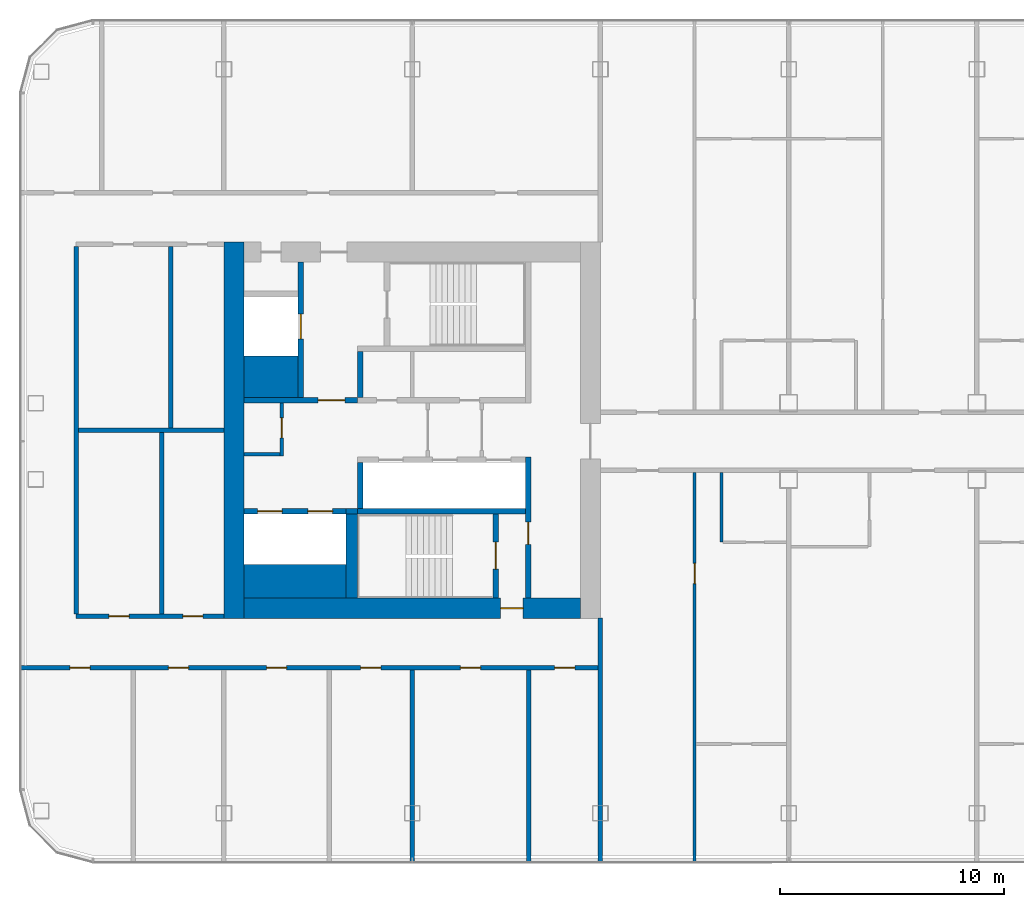
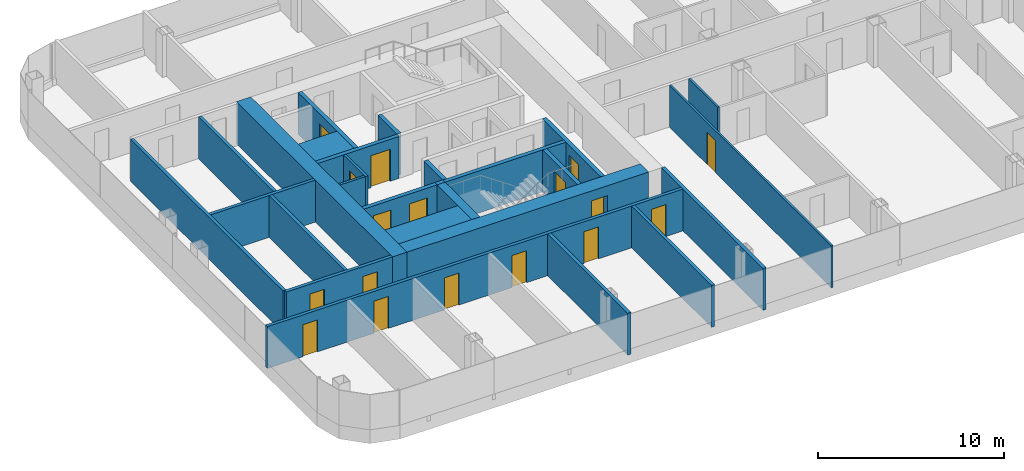
# One storey, part 12 of 26: 27 walls, 17 doors, 17 openings.
"""IFC4 building model written with IfcOpenShell, lengths in metres."""

from ifc_helpers import new_model, si_unit, direction, frame, frame_2d, origin, place, context, subcontext, project, spatial, rectangle, extrude, material, layer, layer_set, type_object, element, fill, save


model = new_model("IFC4")

# Units and contexts
model_context = context("Model", 3, precision=1e-05, world=origin(), true_north=direction((0.0, 1.0)))
body_context = subcontext(model_context, "Body", "Model", "MODEL_VIEW")
ifc_project = project(units=[si_unit("LENGTHUNIT", "METRE"), si_unit("AREAUNIT", "SQUARE_METRE"), si_unit("VOLUMEUNIT", "CUBIC_METRE"), si_unit("PLANEANGLEUNIT", "RADIAN"), si_unit("MASSUNIT", "GRAM", prefix="KILO")], contexts=[model_context])

# Site, building, storey
site_placement = place(None, origin())
site = spatial("IfcSite", under=ifc_project, at=site_placement, CompositionType="ELEMENT")
building_placement = place(site_placement, origin())
building = spatial("IfcBuilding", under=site, at=building_placement, Name="Hakoniwa Tower and Hamabe Station Hall", CompositionType="ELEMENT")
storey_placement = place(building_placement, frame((0.0, 0.0, 143.800048828125)))
storey = spatial("IfcBuildingStorey", under=building, at=storey_placement, Name="L40", CompositionType="ELEMENT", Elevation=143.800048828125)

# Wall
ifc_material_1 = material(Name="Gypsum board partition", Category="gypsum")
ifc_layer_1 = layer(ifc_material_1, 0.125)
ifc_layer_set_1 = layer_set([ifc_layer_1], Name="Bathroom Partition 125")
wall_type_1 = type_object("IfcWallType", Name="Bathroom Partition 125", PredefinedType="PARTITIONING", material=ifc_layer_set_1)
wall_1_placement = place(storey_placement, frame((-11.39990234375, -5.0, 0.0), z_axis=(0.0, 0.0, 1.0), x_axis=(0.0, 1.0, 0.0)))
element("IfcWall", 1, at=wall_1_placement, inside=storey, type_object=wall_type_1, Name="GW-L40-044", PredefinedType="PARTITIONING", context=body_context, shape_type="SweptSolid", body=[
    extrude(rectangle(XDim=3.10009765625, YDim=0.125, at=frame_2d((1.550048828125, 0.0))), origin(), (0.0, 0.0, 1.0), 2.75),
])

# Wall, opening, door
ifc_material_2 = material(Name="Gypsum board partition")
ifc_layer_2 = layer(ifc_material_2, 0.14990234375)
ifc_layer_set_2 = layer_set([ifc_layer_2], Name="CORE PARTITION 150 EI 60")
wall_type_2 = type_object("IfcWallType", Name="CORE PARTITION 150 EI 60", PredefinedType="PARTITIONING", material=ifc_layer_set_2)
wall_2_placement = place(storey_placement, frame((-31.02490234375, -1.14990234375, 0.0), z_axis=(0.0, 0.0, 1.0), x_axis=(0.0, 1.0, 0.0)))
wall_2 = element("IfcWall", 2, at=wall_2_placement, inside=storey, type_object=wall_type_2, Name="Core partition PW0 west", PredefinedType="PARTITIONING", context=body_context, shape_type="SweptSolid", body=[
    extrude(rectangle(XDim=2.349853515625, YDim=0.14990234375, at=frame_2d((1.1748046875, 0.0))), origin(), (0.0, 0.0, 1.0), 2.75),
])
opening_1_placement = place(wall_2_placement, frame((0.800048828125, 0.0, 0.0)))
opening_1 = element("IfcOpeningElement", 3, at=opening_1_placement, cuts=wall_2, Name="Opening CD-W-RM1-9", PredefinedType="OPENING", context=body_context, shape_type="SweptSolid", body=[
    extrude(rectangle(XDim=0.89990234375, YDim=2.10009765625, at=frame_2d((0.449951171875, 1.050048828125))), frame((0.0, 0.0849609375, 0.0), z_axis=(0.0, -1.0, 0.0), x_axis=(1.0, 0.0, 0.0)), (0.0, 0.0, 1.0), 0.169921875),
])
ifc_material_3 = material(Name="Steel fire door", Category="steel")
door_type_1 = type_object("IfcDoorType", Name="CORE DOOR 900 FD30", OperationType="NOTDEFINED", PredefinedType="DOOR", material=ifc_material_3)
door_1_placement = place(opening_1_placement, origin())
door_1 = element("IfcDoor", 4, at=door_1_placement, inside=storey, type_object=door_type_1, Name="Store room door", OperationType="SINGLE_SWING_LEFT", OverallHeight=2.10009765625, OverallWidth=0.89990234375, PredefinedType="DOOR", context=body_context, shape_type="SweptSolid", body=[
    extrude(rectangle(XDim=0.89990234375, YDim=2.10009765625, at=frame_2d((0.449951171875, 1.050048828125))), frame((0.0, 0.02490234375, 0.0), z_axis=(0.0, -1.0, 0.0), x_axis=(1.0, 0.0, 0.0)), (0.0, 0.0, 1.0), 0.050048828125),
])
fill(opening_1, door_1)

# Walls
wall_3_placement = place(storey_placement, frame((-32.699951171875, -1.074951171875, 0.0), z_axis=(0.0, 0.0, 1.0), x_axis=(1.0, 0.0, 0.0)))
element("IfcWall", 5, at=wall_3_placement, inside=storey, type_object=wall_type_2, Name="Core partition PS west", PredefinedType="PARTITIONING", context=body_context, shape_type="SweptSolid", body=[
    extrude(rectangle(XDim=1.599853515625, YDim=0.14990234375, at=frame_2d((0.7998046875, 0.0))), origin(), (0.0, 0.0, 1.0), 2.75),
])
ifc_material_4 = material(Name="Concrete C66", Category="concrete")
ifc_layer_3 = layer(ifc_material_4, 0.89990234375)
ifc_layer_set_3 = layer_set([ifc_layer_3], Name="CORE WALL 900 C66")
wall_type_3 = type_object("IfcWallType", Name="CORE WALL 900 C66", PredefinedType="SHEAR", material=ifc_layer_set_3)
wall_4_placement = place(storey_placement, frame((-33.14990234375, -8.39990234375, 0.0), z_axis=(0.0, 0.0, 1.0), x_axis=(0.0, 1.0, 0.0)))
element("IfcWall", 6, at=wall_4_placement, inside=storey, type_object=wall_type_3, Name="Core wall OUTER west", PredefinedType="SHEAR", context=body_context, shape_type="SweptSolid", body=[
    extrude(rectangle(XDim=16.7998046875, YDim=0.89990234375, at=frame_2d((8.39990234375, 0.0))), origin(), (0.0, 0.0, 1.0), 2.75),
])

# Wall, opening, door
wall_5_placement = place(storey_placement, frame((-32.699951171875, -7.949951171875, 0.0), z_axis=(0.0, 0.0, 1.0), x_axis=(1.0, 0.0, 0.0)))
wall_5 = element("IfcWall", 7, at=wall_5_placement, inside=storey, type_object=wall_type_3, Name="Core wall SOUTH west", PredefinedType="SHEAR", context=body_context, shape_type="SweptSolid", body=[
    extrude(rectangle(XDim=15.0, YDim=0.89990234375, at=frame_2d((7.5, 0.0))), origin(), (0.0, 0.0, 1.0), 2.75),
])
opening_2_placement = place(wall_5_placement, frame((11.449951171875, 0.0, 0.0)))
opening_2 = element("IfcOpeningElement", 8, at=opening_2_placement, cuts=wall_5, Name="Opening CD-W-FS3-10", PredefinedType="OPENING", context=body_context, shape_type="SweptSolid", body=[
    extrude(rectangle(XDim=1.0, YDim=2.10009765625, at=frame_2d((0.5, 1.050048828125))), frame((0.0, 0.4599609375, 0.0), z_axis=(0.0, -1.0, 0.0), x_axis=(1.0, 0.0, 0.0)), (0.0, 0.0, 1.0), 0.919921875),
])
ifc_material_5 = material(Name="Steel fire door", Category="steel")
door_type_2 = type_object("IfcDoorType", Name="CORE DOOR 1000 FD60", OperationType="NOTDEFINED", PredefinedType="DOOR", material=ifc_material_5)
door_2_placement = place(opening_2_placement, origin())
door_2 = element("IfcDoor", 9, at=door_2_placement, inside=storey, type_object=door_type_2, Name="Stair vestibule door", OperationType="SINGLE_SWING_RIGHT", OverallHeight=2.10009765625, OverallWidth=1.0, PredefinedType="DOOR", context=body_context, shape_type="SweptSolid", body=[
    extrude(rectangle(XDim=1.0, YDim=2.10009765625, at=frame_2d((0.5, 1.050048828125))), frame((0.0, 0.02490234375, 0.0), z_axis=(0.0, -1.0, 0.0), x_axis=(1.0, 0.0, 0.0)), (0.0, 0.0, 1.0), 0.050048828125),
])
fill(opening_2, door_2)

# Walls
ifc_material_6 = material(Name="Concrete C66", Category="concrete")
ifc_layer_4 = layer(ifc_material_6, 1.5)
ifc_layer_set_4 = layer_set([ifc_layer_4], Name="CORE WEB WALL 1500 C66")
wall_type_4 = type_object("IfcWallType", Name="CORE WEB WALL 1500 C66", PredefinedType="SHEAR", material=ifc_layer_set_4)
wall_6_placement = place(storey_placement, frame((-32.699951171875, -6.75, 0.0), z_axis=(0.0, 0.0, 1.0), x_axis=(1.0, 0.0, 0.0)))
element("IfcWall", 10, at=wall_6_placement, inside=storey, type_object=wall_type_4, Name="Core wall SER west", PredefinedType="SHEAR", context=body_context, shape_type="SweptSolid", body=[
    extrude(rectangle(XDim=4.550048828125, YDim=1.5, at=frame_2d((2.27490234375, 0.0))), origin(), (0.0, 0.0, 1.0), 2.75),
])
ifc_material_7 = material(Name="Concrete C66", Category="concrete")
ifc_layer_5 = layer(ifc_material_7, 1.85009765625)
ifc_layer_set_5 = layer_set([ifc_layer_5], Name="CORE WEB WALL 1850 C66")
wall_type_5 = type_object("IfcWallType", Name="CORE WEB WALL 1850 C66", PredefinedType="SHEAR", material=ifc_layer_set_5)
wall_7_placement = place(storey_placement, frame((-32.699951171875, 2.375, 0.0), z_axis=(0.0, 0.0, 1.0), x_axis=(1.0, 0.0, 0.0)))
element("IfcWall", 11, at=wall_7_placement, inside=storey, type_object=wall_type_5, Name="Core wall CA west", PredefinedType="SHEAR", context=body_context, shape_type="SweptSolid", body=[
    extrude(rectangle(XDim=2.39990234375, YDim=1.85009765625, at=frame_2d((1.199951171875, 0.0))), origin(), (0.0, 0.0, 1.0), 2.75),
])

# Wall, opening, door
ifc_material_8 = material(Name="Concrete C66", Category="concrete")
ifc_layer_6 = layer(ifc_material_8, 0.25)
ifc_layer_set_6 = layer_set([ifc_layer_6], Name="CORE WEB WALL 250 C66")
wall_type_6 = type_object("IfcWallType", Name="CORE WEB WALL 250 C66", PredefinedType="SHEAR", material=ifc_layer_set_6)
wall_8_placement = place(storey_placement, frame((-20.02490234375, -7.5, 0.0), z_axis=(0.0, 0.0, 1.0), x_axis=(0.0, 1.0, 0.0)))
wall_8 = element("IfcWall", 12, at=wall_8_placement, inside=storey, type_object=wall_type_6, Name="Core wall W1S west", PredefinedType="SHEAR", context=body_context, shape_type="SweptSolid", body=[
    extrude(rectangle(XDim=6.300048828125, YDim=0.25, at=frame_2d((3.14990234375, 0.0))), origin(), (0.0, 0.0, 1.0), 2.75),
])
opening_3_placement = place(wall_8_placement, frame((2.39990234375, 0.0, 0.0)))
opening_3 = element("IfcOpeningElement", 13, at=opening_3_placement, cuts=wall_8, Name="Opening CD-W-VS-10", PredefinedType="OPENING", context=body_context, shape_type="SweptSolid", body=[
    extrude(rectangle(XDim=1.0, YDim=2.10009765625, at=frame_2d((0.5, 1.050048828125))), frame((0.0, 0.135009765625, 0.0), z_axis=(0.0, -1.0, 0.0), x_axis=(1.0, 0.0, 0.0)), (0.0, 0.0, 1.0), 0.27001953125),
])
door_3_placement = place(opening_3_placement, origin())
door_3 = element("IfcDoor", 14, at=door_3_placement, inside=storey, type_object=door_type_2, Name="Stair vestibule door", OperationType="SINGLE_SWING_LEFT", OverallHeight=2.10009765625, OverallWidth=1.0, PredefinedType="DOOR", context=body_context, shape_type="SweptSolid", body=[
    extrude(rectangle(XDim=1.0, YDim=2.10009765625, at=frame_2d((0.5, 1.050048828125))), frame((0.0, 0.02490234375, 0.0), z_axis=(0.0, -1.0, 0.0), x_axis=(1.0, 0.0, 0.0)), (0.0, 0.0, 1.0), 0.050048828125),
])
fill(opening_3, door_3)

# Wall
wall_9_placement = place(storey_placement, frame((-27.52490234375, 1.449951171875, 0.0), z_axis=(0.0, 0.0, 1.0), x_axis=(0.0, 1.0, 0.0)))
element("IfcWall", 15, at=wall_9_placement, inside=storey, type_object=wall_type_6, Name="Core wall NE west", PredefinedType="SHEAR", context=body_context, shape_type="SweptSolid", body=[
    extrude(rectangle(XDim=2.050048828125, YDim=0.25, at=frame_2d((1.02490234375, 0.0))), origin(), (0.0, 0.0, 1.0), 2.75),
])

# Wall, opening, door
wall_10_placement = place(storey_placement, frame((-32.699951171875, 1.324951171875, 0.0), z_axis=(0.0, 0.0, 1.0), x_axis=(1.0, 0.0, 0.0)))
wall_10 = element("IfcWall", 16, at=wall_10_placement, inside=storey, type_object=wall_type_6, Name="Core wall ELN west", PredefinedType="SHEAR", context=body_context, shape_type="SweptSolid", body=[
    extrude(rectangle(XDim=5.050048828125, YDim=0.25, at=frame_2d((2.52490234375, 0.0))), origin(), (0.0, 0.0, 1.0), 2.75),
])
opening_4_placement = place(wall_10_placement, frame((3.300048828125, 0.0, 0.0)))
opening_4 = element("IfcOpeningElement", 17, at=opening_4_placement, cuts=wall_10, Name="Opening CD-W-FL-12", PredefinedType="OPENING", context=body_context, shape_type="SweptSolid", body=[
    extrude(rectangle(XDim=1.199951171875, YDim=2.10009765625, at=frame_2d((0.60009765625, 1.050048828125))), frame((0.0, 0.135009765625, 0.0), z_axis=(0.0, -1.0, 0.0), x_axis=(1.0, 0.0, 0.0)), (0.0, 0.0, 1.0), 0.27001953125),
])
ifc_material_9 = material(Name="Steel fire door", Category="steel")
door_type_3 = type_object("IfcDoorType", Name="CORE DOOR 1200 FD60", OperationType="DOUBLE_DOOR_SINGLE_SWING", PredefinedType="DOOR", material=ifc_material_9)
door_4_placement = place(opening_4_placement, origin())
door_4 = element("IfcDoor", 18, at=door_4_placement, inside=storey, type_object=door_type_3, Name="Stair vestibule door to the fire-fighting lobby", OperationType="DOUBLE_DOOR_SINGLE_SWING", OverallHeight=2.10009765625, OverallWidth=1.199951171875, PredefinedType="DOOR", context=body_context, shape_type="SweptSolid", body=[
    extrude(rectangle(XDim=1.199951171875, YDim=2.10009765625, at=frame_2d((0.60009765625, 1.050048828125))), frame((0.0, 0.02490234375, 0.0), z_axis=(0.0, -1.0, 0.0), x_axis=(1.0, 0.0, 0.0)), (0.0, 0.0, 1.0), 0.050048828125),
])
fill(opening_4, door_4)

wall_11_placement = place(storey_placement, frame((-30.175048828125, 1.449951171875, 0.0), z_axis=(0.0, 0.0, 1.0), x_axis=(0.0, 1.0, 0.0)))
wall_11 = element("IfcWall", 19, at=wall_11_placement, inside=storey, type_object=wall_type_6, Name="Core wall FFF west", PredefinedType="SHEAR", context=body_context, shape_type="SweptSolid", body=[
    extrude(rectangle(XDim=6.050048828125, YDim=0.25, at=frame_2d((3.02490234375, 0.0))), origin(), (0.0, 0.0, 1.0), 2.75),
])
opening_5_placement = place(wall_11_placement, frame((2.625, 0.0, 0.0)))
opening_5 = element("IfcOpeningElement", 20, at=opening_5_placement, cuts=wall_11, Name="Opening LD-FF1", PredefinedType="OPENING", context=body_context, shape_type="SweptSolid", body=[
    extrude(rectangle(XDim=1.10009765625, YDim=2.10009765625, at=frame_2d((0.550048828125, 1.050048828125))), frame((0.0, 0.135009765625, 0.0), z_axis=(0.0, -1.0, 0.0), x_axis=(1.0, 0.0, 0.0)), (0.0, 0.0, 1.0), 0.27001953125),
])
ifc_material_10 = material(Name="Stainless steel SUS304", Category="steel")
door_type_4 = type_object("IfcDoorType", Name="LIFT LANDING DOOR 1100 FD60", OperationType="DOUBLE_DOOR_SLIDING", PredefinedType="DOOR", material=ifc_material_10)
door_5_placement = place(opening_5_placement, origin())
door_5 = element("IfcDoor", 21, at=door_5_placement, inside=storey, type_object=door_type_4, Name="Lift landing door FF1 L40", OperationType="DOUBLE_DOOR_SLIDING", OverallHeight=2.10009765625, OverallWidth=1.10009765625, PredefinedType="DOOR", context=body_context, shape_type="SweptSolid", body=[
    extrude(rectangle(XDim=1.10009765625, YDim=2.10009765625, at=frame_2d((0.550048828125, 1.050048828125))), frame((0.0, 0.02490234375, 0.0), z_axis=(0.0, -1.0, 0.0), x_axis=(1.0, 0.0, 0.0)), (0.0, 0.0, 1.0), 0.050048828125),
])
fill(opening_5, door_5)

# Walls
wall_12_placement = place(storey_placement, frame((-27.52490234375, -3.5, 0.0), z_axis=(0.0, 0.0, 1.0), x_axis=(0.0, 1.0, 0.0)))
element("IfcWall", 22, at=wall_12_placement, inside=storey, type_object=wall_type_6, Name="Core wall SE west", PredefinedType="SHEAR", context=body_context, shape_type="SweptSolid", body=[
    extrude(rectangle(XDim=2.050048828125, YDim=0.25, at=frame_2d((1.02490234375, 0.0))), origin(), (0.0, 0.0, 1.0), 2.75),
])
wall_13_placement = place(storey_placement, frame((-27.64990234375, -3.625, 0.0), z_axis=(0.0, 0.0, 1.0), x_axis=(1.0, 0.0, 0.0)))
element("IfcWall", 23, at=wall_13_placement, inside=storey, type_object=wall_type_6, Name="Core wall SR west", PredefinedType="SHEAR", context=body_context, shape_type="SweptSolid", body=[
    extrude(rectangle(XDim=7.5, YDim=0.25, at=frame_2d((3.75, 0.0))), origin(), (0.0, 0.0, 1.0), 2.75),
])

# Wall, opening, door
wall_14_placement = place(storey_placement, frame((-21.47509765625, -7.5, 0.0), z_axis=(0.0, 0.0, 1.0), x_axis=(0.0, 1.0, 0.0)))
wall_14 = element("IfcWall", 24, at=wall_14_placement, inside=storey, type_object=wall_type_6, Name="Core wall VE west", PredefinedType="SHEAR", context=body_context, shape_type="SweptSolid", body=[
    extrude(rectangle(XDim=3.75, YDim=0.25, at=frame_2d((1.875, 0.0))), origin(), (0.0, 0.0, 1.0), 2.75),
])
opening_6_placement = place(wall_14_placement, frame((1.300048828125, 0.0, 0.0)))
opening_6 = element("IfcOpeningElement", 25, at=opening_6_placement, cuts=wall_14, Name="Opening CD-W-SS-12", PredefinedType="OPENING", context=body_context, shape_type="SweptSolid", body=[
    extrude(rectangle(XDim=1.199951171875, YDim=2.10009765625, at=frame_2d((0.60009765625, 1.050048828125))), frame((0.0, 0.135009765625, 0.0), z_axis=(0.0, -1.0, 0.0), x_axis=(1.0, 0.0, 0.0)), (0.0, 0.0, 1.0), 0.27001953125),
])
door_6_placement = place(opening_6_placement, origin())
door_6 = element("IfcDoor", 26, at=door_6_placement, inside=storey, type_object=door_type_3, Name="Escape stair door", OperationType="DOUBLE_DOOR_SINGLE_SWING", OverallHeight=2.10009765625, OverallWidth=1.199951171875, PredefinedType="DOOR", context=body_context, shape_type="SweptSolid", body=[
    extrude(rectangle(XDim=1.199951171875, YDim=2.10009765625, at=frame_2d((0.60009765625, 1.050048828125))), frame((0.0, 0.02490234375, 0.0), z_axis=(0.0, -1.0, 0.0), x_axis=(1.0, 0.0, 0.0)), (0.0, 0.0, 1.0), 0.050048828125),
])
fill(opening_6, door_6)

# Wall, openings, doors
wall_15_placement = place(storey_placement, frame((-32.699951171875, -3.625, 0.0), z_axis=(0.0, 0.0, 1.0), x_axis=(1.0, 0.0, 0.0)))
wall_15 = element("IfcWall", 27, at=wall_15_placement, inside=storey, type_object=wall_type_6, Name="Core wall SEF west", PredefinedType="SHEAR", context=body_context, shape_type="SweptSolid", body=[
    extrude(rectangle(XDim=4.550048828125, YDim=0.25, at=frame_2d((2.27490234375, 0.0))), origin(), (0.0, 0.0, 1.0), 2.75),
])
opening_7_placement = place(wall_15_placement, frame((2.85009765625, 0.0, 0.0)))
opening_7 = element("IfcOpeningElement", 28, at=opening_7_placement, cuts=wall_15, Name="Opening LD-SV1", PredefinedType="OPENING", context=body_context, shape_type="SweptSolid", body=[
    extrude(rectangle(XDim=1.10009765625, YDim=2.10009765625, at=frame_2d((0.550048828125, 1.050048828125))), frame((0.0, 0.135009765625, 0.0), z_axis=(0.0, -1.0, 0.0), x_axis=(1.0, 0.0, 0.0)), (0.0, 0.0, 1.0), 0.27001953125),
])
opening_8_placement = place(wall_15_placement, frame((0.60009765625, 0.0, 0.0)))
opening_8 = element("IfcOpeningElement", 29, at=opening_8_placement, cuts=wall_15, Name="Opening LD-SV2", PredefinedType="OPENING", context=body_context, shape_type="SweptSolid", body=[
    extrude(rectangle(XDim=1.10009765625, YDim=2.10009765625, at=frame_2d((0.550048828125, 1.050048828125))), frame((0.0, 0.135009765625, 0.0), z_axis=(0.0, -1.0, 0.0), x_axis=(1.0, 0.0, 0.0)), (0.0, 0.0, 1.0), 0.27001953125),
])
door_7_placement = place(opening_7_placement, origin())
door_7 = element("IfcDoor", 30, at=door_7_placement, inside=storey, type_object=door_type_4, Name="Lift landing door SV1 L40", OperationType="DOUBLE_DOOR_SLIDING", OverallHeight=2.10009765625, OverallWidth=1.10009765625, PredefinedType="DOOR", context=body_context, shape_type="SweptSolid", body=[
    extrude(rectangle(XDim=1.10009765625, YDim=2.10009765625, at=frame_2d((0.550048828125, 1.050048828125))), frame((0.0, 0.02490234375, 0.0), z_axis=(0.0, -1.0, 0.0), x_axis=(1.0, 0.0, 0.0)), (0.0, 0.0, 1.0), 0.050048828125),
])
fill(opening_7, door_7)
door_8_placement = place(opening_8_placement, origin())
door_8 = element("IfcDoor", 31, at=door_8_placement, inside=storey, type_object=door_type_4, Name="Lift landing door SV2 L40", OperationType="DOUBLE_DOOR_SLIDING", OverallHeight=2.10009765625, OverallWidth=1.10009765625, PredefinedType="DOOR", context=body_context, shape_type="SweptSolid", body=[
    extrude(rectangle(XDim=1.10009765625, YDim=2.10009765625, at=frame_2d((0.550048828125, 1.050048828125))), frame((0.0, 0.02490234375, 0.0), z_axis=(0.0, -1.0, 0.0), x_axis=(1.0, 0.0, 0.0)), (0.0, 0.0, 1.0), 0.050048828125),
])
fill(opening_8, door_8)

# Walls
wall_16_placement = place(storey_placement, frame((-28.14990234375, -3.625, 0.0), z_axis=(0.0, 0.0, 1.0), x_axis=(1.0, 0.0, 0.0)))
element("IfcWall", 32, at=wall_16_placement, inside=storey, type_object=wall_type_6, Name="Core wall SRK west", PredefinedType="SHEAR", context=body_context, shape_type="SweptSolid", body=[
    extrude(rectangle(XDim=0.5, YDim=0.25, at=frame_2d((0.25, 0.0))), origin(), (0.0, 0.0, 1.0), 2.75),
])
ifc_material_11 = material(Name="Concrete C66", Category="concrete")
ifc_layer_7 = layer(ifc_material_11, 0.5)
ifc_layer_set_7 = layer_set([ifc_layer_7], Name="CORE WEB WALL 500 C66")
wall_type_7 = type_object("IfcWallType", Name="CORE WEB WALL 500 C66", PredefinedType="SHEAR", material=ifc_layer_set_7)
wall_17_placement = place(storey_placement, frame((-27.89990234375, -7.5, 0.0), z_axis=(0.0, 0.0, 1.0), x_axis=(0.0, 1.0, 0.0)))
element("IfcWall", 33, at=wall_17_placement, inside=storey, type_object=wall_type_7, Name="Core wall SSE west", PredefinedType="SHEAR", context=body_context, shape_type="SweptSolid", body=[
    extrude(rectangle(XDim=3.75, YDim=0.5, at=frame_2d((1.875, 0.0))), origin(), (0.0, 0.0, 1.0), 2.75),
])

# Wall, openings, doors
ifc_material_12 = material(Name="Fire-rated gypsum board partition", Category="gypsum")
ifc_layer_8 = layer(ifc_material_12, 0.199951171875)
ifc_layer_set_8 = layer_set([ifc_layer_8], Name="Corridor Wall 200")
wall_type_8 = type_object("IfcWallType", Name="Corridor Wall 200", PredefinedType="PARTITIONING", material=ifc_layer_set_8)
wall_18_placement = place(storey_placement, frame((-42.699951171875, -10.60009765625, 0.0), z_axis=(0.0, 0.0, 1.0), x_axis=(1.0, 0.0, 0.0)))
wall_18 = element("IfcWall", 34, at=wall_18_placement, inside=storey, type_object=wall_type_8, Name="GW-L40-004", PredefinedType="PARTITIONING", context=body_context, shape_type="SweptSolid", body=[
    extrude(rectangle(XDim=25.89990234375, YDim=0.199951171875, at=frame_2d((12.949951171875, 0.0))), origin(), (0.0, 0.0, 1.0), 2.75),
])
opening_9_placement = place(wall_18_placement, frame((2.22509765625, 0.0, 0.0)))
opening_9 = element("IfcOpeningElement", 35, at=opening_9_placement, cuts=wall_18, Name="Opening GD-G3E0-04", PredefinedType="OPENING", context=body_context, shape_type="SweptSolid", body=[
    extrude(rectangle(XDim=0.89990234375, YDim=2.10009765625, at=frame_2d((0.449951171875, 1.050048828125))), frame((0.0, 0.10986328125, 0.0), z_axis=(0.0, -1.0, 0.0), x_axis=(1.0, 0.0, 0.0)), (0.0, 0.0, 1.0), 0.219970703125),
])
opening_10_placement = place(wall_18_placement, frame((6.625, 0.0, 0.0)))
opening_10 = element("IfcOpeningElement", 36, at=opening_10_placement, cuts=wall_18, Name="Opening GD-G3E0-05", PredefinedType="OPENING", context=body_context, shape_type="SweptSolid", body=[
    extrude(rectangle(XDim=0.89990234375, YDim=2.10009765625, at=frame_2d((0.449951171875, 1.050048828125))), frame((0.0, 0.10986328125, 0.0), z_axis=(0.0, -1.0, 0.0), x_axis=(1.0, 0.0, 0.0)), (0.0, 0.0, 1.0), 0.219970703125),
])
opening_11_placement = place(wall_18_placement, frame((11.0, 0.0, 0.0)))
opening_11 = element("IfcOpeningElement", 37, at=opening_11_placement, cuts=wall_18, Name="Opening GD-G3E0-06", PredefinedType="OPENING", context=body_context, shape_type="SweptSolid", body=[
    extrude(rectangle(XDim=0.89990234375, YDim=2.10009765625, at=frame_2d((0.449951171875, 1.050048828125))), frame((0.0, 0.10986328125, 0.0), z_axis=(0.0, -1.0, 0.0), x_axis=(1.0, 0.0, 0.0)), (0.0, 0.0, 1.0), 0.219970703125),
])
opening_12_placement = place(wall_18_placement, frame((15.199951171875, 0.0, 0.0)))
opening_12 = element("IfcOpeningElement", 38, at=opening_12_placement, cuts=wall_18, Name="Opening GD-G3E0-07", PredefinedType="OPENING", context=body_context, shape_type="SweptSolid", body=[
    extrude(rectangle(XDim=0.89990234375, YDim=2.10009765625, at=frame_2d((0.449951171875, 1.050048828125))), frame((0.0, 0.10986328125, 0.0), z_axis=(0.0, -1.0, 0.0), x_axis=(1.0, 0.0, 0.0)), (0.0, 0.0, 1.0), 0.219970703125),
])
opening_13_placement = place(wall_18_placement, frame((19.655029296875, 0.0, 0.0)))
opening_13 = element("IfcOpeningElement", 39, at=opening_13_placement, cuts=wall_18, Name="Opening GD-G3E0-08", PredefinedType="OPENING", context=body_context, shape_type="SweptSolid", body=[
    extrude(rectangle(XDim=0.89990234375, YDim=2.10009765625, at=frame_2d((0.449951171875, 1.050048828125))), frame((0.0, 0.10986328125, 0.0), z_axis=(0.0, -1.0, 0.0), x_axis=(1.0, 0.0, 0.0)), (0.0, 0.0, 1.0), 0.219970703125),
])
opening_14_placement = place(wall_18_placement, frame((23.85498046875, 0.0, 0.0)))
opening_14 = element("IfcOpeningElement", 40, at=opening_14_placement, cuts=wall_18, Name="Opening GD-G3E0-09", PredefinedType="OPENING", context=body_context, shape_type="SweptSolid", body=[
    extrude(rectangle(XDim=0.89990234375, YDim=2.10009765625, at=frame_2d((0.449951171875, 1.050048828125))), frame((0.0, 0.10986328125, 0.0), z_axis=(0.0, -1.0, 0.0), x_axis=(1.0, 0.0, 0.0)), (0.0, 0.0, 1.0), 0.219970703125),
])
ifc_material_13 = material(Name="Timber door leaf", Category="wood")
door_type_5 = type_object("IfcDoorType", Name="Service Door 900", OperationType="SINGLE_SWING_LEFT", PredefinedType="DOOR", material=ifc_material_13)
door_9_placement = place(opening_9_placement, origin())
door_9 = element("IfcDoor", 41, at=door_9_placement, inside=storey, type_object=door_type_5, Name="Door GD-G3E0-04", OperationType="SINGLE_SWING_RIGHT", OverallHeight=2.10009765625, OverallWidth=0.89990234375, PredefinedType="DOOR", context=body_context, shape_type="SweptSolid", body=[
    extrude(rectangle(XDim=0.89990234375, YDim=2.10009765625, at=frame_2d((0.449951171875, 1.050048828125))), frame((0.0, 0.02490234375, 0.0), z_axis=(0.0, -1.0, 0.0), x_axis=(1.0, 0.0, 0.0)), (0.0, 0.0, 1.0), 0.050048828125),
])
fill(opening_9, door_9)
door_10_placement = place(opening_10_placement, origin())
door_10 = element("IfcDoor", 42, at=door_10_placement, inside=storey, type_object=door_type_5, Name="Door GD-G3E0-05", OperationType="SINGLE_SWING_LEFT", OverallHeight=2.10009765625, OverallWidth=0.89990234375, PredefinedType="DOOR", context=body_context, shape_type="SweptSolid", body=[
    extrude(rectangle(XDim=0.89990234375, YDim=2.10009765625, at=frame_2d((0.449951171875, 1.050048828125))), frame((0.0, 0.02490234375, 0.0), z_axis=(0.0, -1.0, 0.0), x_axis=(1.0, 0.0, 0.0)), (0.0, 0.0, 1.0), 0.050048828125),
])
fill(opening_10, door_10)
door_11_placement = place(opening_11_placement, origin())
door_11 = element("IfcDoor", 43, at=door_11_placement, inside=storey, type_object=door_type_5, Name="Door GD-G3E0-06", OperationType="SINGLE_SWING_RIGHT", OverallHeight=2.10009765625, OverallWidth=0.89990234375, PredefinedType="DOOR", context=body_context, shape_type="SweptSolid", body=[
    extrude(rectangle(XDim=0.89990234375, YDim=2.10009765625, at=frame_2d((0.449951171875, 1.050048828125))), frame((0.0, 0.02490234375, 0.0), z_axis=(0.0, -1.0, 0.0), x_axis=(1.0, 0.0, 0.0)), (0.0, 0.0, 1.0), 0.050048828125),
])
fill(opening_11, door_11)
door_12_placement = place(opening_12_placement, origin())
door_12 = element("IfcDoor", 44, at=door_12_placement, inside=storey, type_object=door_type_5, Name="Door GD-G3E0-07", OperationType="SINGLE_SWING_LEFT", OverallHeight=2.10009765625, OverallWidth=0.89990234375, PredefinedType="DOOR", context=body_context, shape_type="SweptSolid", body=[
    extrude(rectangle(XDim=0.89990234375, YDim=2.10009765625, at=frame_2d((0.449951171875, 1.050048828125))), frame((0.0, 0.02490234375, 0.0), z_axis=(0.0, -1.0, 0.0), x_axis=(1.0, 0.0, 0.0)), (0.0, 0.0, 1.0), 0.050048828125),
])
fill(opening_12, door_12)
door_13_placement = place(opening_13_placement, origin())
door_13 = element("IfcDoor", 45, at=door_13_placement, inside=storey, type_object=door_type_5, Name="Door GD-G3E0-08", OperationType="SINGLE_SWING_RIGHT", OverallHeight=2.10009765625, OverallWidth=0.89990234375, PredefinedType="DOOR", context=body_context, shape_type="SweptSolid", body=[
    extrude(rectangle(XDim=0.89990234375, YDim=2.10009765625, at=frame_2d((0.449951171875, 1.050048828125))), frame((0.0, 0.02490234375, 0.0), z_axis=(0.0, -1.0, 0.0), x_axis=(1.0, 0.0, 0.0)), (0.0, 0.0, 1.0), 0.050048828125),
])
fill(opening_13, door_13)
door_14_placement = place(opening_14_placement, origin())
door_14 = element("IfcDoor", 46, at=door_14_placement, inside=storey, type_object=door_type_5, Name="Door GD-G3E0-09", OperationType="SINGLE_SWING_LEFT", OverallHeight=2.10009765625, OverallWidth=0.89990234375, PredefinedType="DOOR", context=body_context, shape_type="SweptSolid", body=[
    extrude(rectangle(XDim=0.89990234375, YDim=2.10009765625, at=frame_2d((0.449951171875, 1.050048828125))), frame((0.0, 0.02490234375, 0.0), z_axis=(0.0, -1.0, 0.0), x_axis=(1.0, 0.0, 0.0)), (0.0, 0.0, 1.0), 0.050048828125),
])
fill(opening_14, door_14)

wall_19_placement = place(storey_placement, frame((-40.199951171875, -8.300048828125, 0.0), z_axis=(0.0, 0.0, 1.0), x_axis=(1.0, 0.0, 0.0)))
wall_19 = element("IfcWall", 47, at=wall_19_placement, inside=storey, type_object=wall_type_8, Name="GW-L40-006", PredefinedType="PARTITIONING", context=body_context, shape_type="SweptSolid", body=[
    extrude(rectangle(XDim=6.599853515625, YDim=0.199951171875, at=frame_2d((3.2998046875, 0.0))), origin(), (0.0, 0.0, 1.0), 2.75),
])
opening_15_placement = place(wall_19_placement, frame((1.465087890625, 0.0, 0.0)))
opening_15 = element("IfcOpeningElement", 48, at=opening_15_placement, cuts=wall_19, Name="Opening GD-G3E0-13", PredefinedType="OPENING", context=body_context, shape_type="SweptSolid", body=[
    extrude(rectangle(XDim=0.89990234375, YDim=2.10009765625, at=frame_2d((0.449951171875, 1.050048828125))), frame((0.0, 0.10986328125, 0.0), z_axis=(0.0, -1.0, 0.0), x_axis=(1.0, 0.0, 0.0)), (0.0, 0.0, 1.0), 0.219970703125),
])
opening_16_placement = place(wall_19_placement, frame((4.764892578125, 0.0, 0.0)))
opening_16 = element("IfcOpeningElement", 49, at=opening_16_placement, cuts=wall_19, Name="Opening GD-G3E0-14", PredefinedType="OPENING", context=body_context, shape_type="SweptSolid", body=[
    extrude(rectangle(XDim=0.89990234375, YDim=2.10009765625, at=frame_2d((0.449951171875, 1.050048828125))), frame((0.0, 0.10986328125, 0.0), z_axis=(0.0, -1.0, 0.0), x_axis=(1.0, 0.0, 0.0)), (0.0, 0.0, 1.0), 0.219970703125),
])
door_15_placement = place(opening_15_placement, origin())
door_15 = element("IfcDoor", 50, at=door_15_placement, inside=storey, type_object=door_type_5, Name="Door GD-G3E0-13", OperationType="SINGLE_SWING_LEFT", OverallHeight=2.10009765625, OverallWidth=0.89990234375, PredefinedType="DOOR", context=body_context, shape_type="SweptSolid", body=[
    extrude(rectangle(XDim=0.89990234375, YDim=2.10009765625, at=frame_2d((0.449951171875, 1.050048828125))), frame((0.0, 0.02490234375, 0.0), z_axis=(0.0, -1.0, 0.0), x_axis=(1.0, 0.0, 0.0)), (0.0, 0.0, 1.0), 0.050048828125),
])
fill(opening_15, door_15)
door_16_placement = place(opening_16_placement, origin())
door_16 = element("IfcDoor", 51, at=door_16_placement, inside=storey, type_object=door_type_5, Name="Door GD-G3E0-14", OperationType="SINGLE_SWING_RIGHT", OverallHeight=2.10009765625, OverallWidth=0.89990234375, PredefinedType="DOOR", context=body_context, shape_type="SweptSolid", body=[
    extrude(rectangle(XDim=0.89990234375, YDim=2.10009765625, at=frame_2d((0.449951171875, 1.050048828125))), frame((0.0, 0.02490234375, 0.0), z_axis=(0.0, -1.0, 0.0), x_axis=(1.0, 0.0, 0.0)), (0.0, 0.0, 1.0), 0.050048828125),
])
fill(opening_16, door_16)

# Walls
ifc_material_14 = material(Name="Fire-rated gypsum board partition", Category="gypsum")
ifc_layer_9 = layer(ifc_material_14, 0.199951171875)
ifc_layer_set_9 = layer_set([ifc_layer_9], Name="Party Wall 200")
wall_type_9 = type_object("IfcWallType", Name="Party Wall 200", PredefinedType="PARTITIONING", material=ifc_layer_set_9)
wall_20_placement = place(storey_placement, frame((-40.10009765625, 0.0, 0.0), z_axis=(0.0, 0.0, 1.0), x_axis=(1.0, 0.0, 0.0)))
element("IfcWall", 52, at=wall_20_placement, inside=storey, type_object=wall_type_9, Name="GW-L40-013", PredefinedType="PARTITIONING", context=body_context, shape_type="SweptSolid", body=[
    extrude(rectangle(XDim=6.5, YDim=0.199951171875, at=frame_2d((3.25, 0.0))), origin(), (0.0, 0.0, 1.0), 2.75),
])
wall_21_placement = place(storey_placement, frame((-40.199951171875, -8.199951171875, 0.0), z_axis=(0.0, 0.0, 1.0), x_axis=(0.0, 1.0, 0.0)))
element("IfcWall", 53, at=wall_21_placement, inside=storey, type_object=wall_type_9, Name="GW-L40-029", PredefinedType="PARTITIONING", context=body_context, shape_type="SweptSolid", body=[
    extrude(rectangle(XDim=16.39990234375, YDim=0.199951171875, at=frame_2d((8.199951171875, 0.0))), origin(), (0.0, 0.0, 1.0), 2.75),
])
for number, where, z_axis, x_axis, name in (
    (54, (-36.3701171875, -8.199951171875, 0.0), (0.0, 0.0, 1.0), (0.0, 1.0, 0.0), "GW-L40-032"),
    (55, (-35.97998046875, 0.0, 0.0), (0.0, 0.0, 1.0), (0.0, 1.0, 0.0), "GW-L40-033"),
):
    element("IfcWall", number, at=place(storey_placement, frame(where, z_axis=z_axis, x_axis=x_axis)), inside=storey, type_object=wall_type_9, Name=name, PredefinedType="PARTITIONING", context=body_context, shape_type="SweptSolid", body=[
        extrude(rectangle(XDim=8.199951171875, YDim=0.199951171875, at=frame_2d((4.10009765625, 0.0))), origin(), (0.0, 0.0, 1.0), 2.75),
    ])
for number, where, z_axis, x_axis, name in (
    (56, (-25.199951171875, -19.300048828125, 0.0), (0.0, 0.0, 1.0), (0.0, 1.0, 0.0), "GW-L40-037"),
    (57, (-19.989990234375, -19.300048828125, 0.0), (0.0, 0.0, 1.0), (0.0, 1.0, 0.0), "GW-L40-039"),
):
    element("IfcWall", number, at=place(storey_placement, frame(where, z_axis=z_axis, x_axis=x_axis)), inside=storey, type_object=wall_type_9, Name=name, PredefinedType="PARTITIONING", context=body_context, shape_type="SweptSolid", body=[
        extrude(rectangle(XDim=8.60009765625, YDim=0.199951171875, at=frame_2d((4.300048828125, 0.0))), origin(), (0.0, 0.0, 1.0), 2.75),
    ])
wall_22_placement = place(storey_placement, frame((-16.800048828125, -19.300048828125, 0.0), z_axis=(0.0, 0.0, 1.0), x_axis=(0.0, 1.0, 0.0)))
element("IfcWall", 58, at=wall_22_placement, inside=storey, type_object=wall_type_9, Name="GW-L40-040", PredefinedType="PARTITIONING", context=body_context, shape_type="SweptSolid", body=[
    extrude(rectangle(XDim=10.91015625, YDim=0.199951171875, at=frame_2d((5.455078125, 0.0))), origin(), (0.0, 0.0, 1.0), 2.75),
])

# Wall, opening, door
ifc_material_15 = material(Name="Gypsum board partition", Category="gypsum")
ifc_layer_10 = layer(ifc_material_15, 0.125)
ifc_layer_set_10 = layer_set([ifc_layer_10], Name="Room Partition 125")
wall_type_10 = type_object("IfcWallType", Name="Room Partition 125", PredefinedType="PARTITIONING", material=ifc_layer_set_10)
wall_23_placement = place(storey_placement, frame((-12.60009765625, -19.300048828125, 0.0), z_axis=(0.0, 0.0, 1.0), x_axis=(0.0, 1.0, 0.0)))
wall_23 = element("IfcWall", 59, at=wall_23_placement, inside=storey, type_object=wall_type_10, Name="GW-L40-042", PredefinedType="PARTITIONING", context=body_context, shape_type="SweptSolid", body=[
    extrude(rectangle(XDim=17.400146484375, YDim=0.125, at=frame_2d((8.7001953125, 0.0))), origin(), (0.0, 0.0, 1.0), 2.75),
])
opening_17_placement = place(wall_23_placement, frame((12.449951171875, 0.0, 0.0)))
opening_17 = element("IfcOpeningElement", 60, at=opening_17_placement, cuts=wall_23, Name="Opening GD-G3E0-50", PredefinedType="OPENING", context=body_context, shape_type="SweptSolid", body=[
    extrude(rectangle(XDim=0.89990234375, YDim=2.10009765625, at=frame_2d((0.449951171875, 1.050048828125))), frame((0.0, 0.072509765625, 0.0), z_axis=(0.0, -1.0, 0.0), x_axis=(1.0, 0.0, 0.0)), (0.0, 0.0, 1.0), 0.14501953125),
])
ifc_material_16 = material(Name="Timber door leaf", Category="wood")
door_type_6 = type_object("IfcDoorType", Name="Suite Interior Door 900", OperationType="SINGLE_SWING_LEFT", PredefinedType="DOOR", material=ifc_material_16)
door_17_placement = place(opening_17_placement, origin())
door_17 = element("IfcDoor", 61, at=door_17_placement, inside=storey, type_object=door_type_6, Name="Door GD-G3E0-50", OperationType="SINGLE_SWING_LEFT", OverallHeight=2.10009765625, OverallWidth=0.89990234375, PredefinedType="DOOR", context=body_context, shape_type="SweptSolid", body=[
    extrude(rectangle(XDim=0.89990234375, YDim=2.10009765625, at=frame_2d((0.449951171875, 1.050048828125))), frame((0.0, 0.02490234375, 0.0), z_axis=(0.0, -1.0, 0.0), x_axis=(1.0, 0.0, 0.0)), (0.0, 0.0, 1.0), 0.050048828125),
])
fill(opening_17, door_17)

save(model, "model.ifc")
